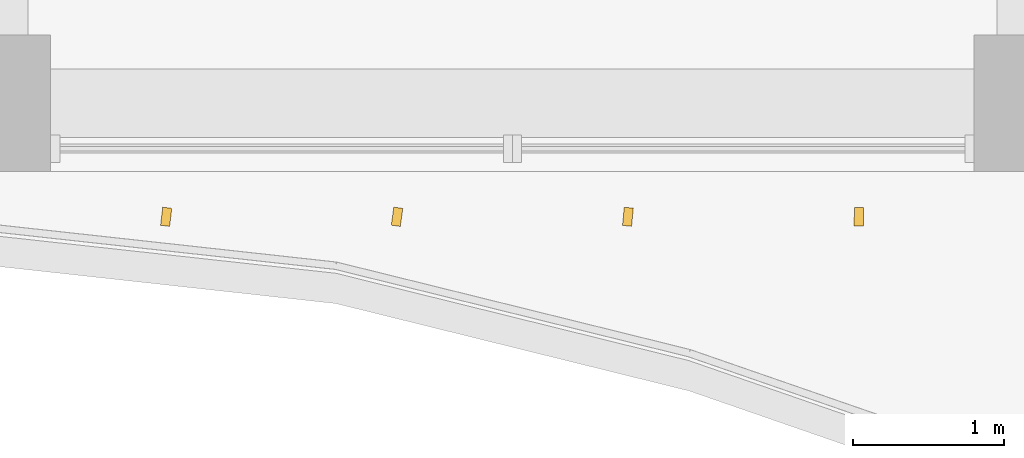
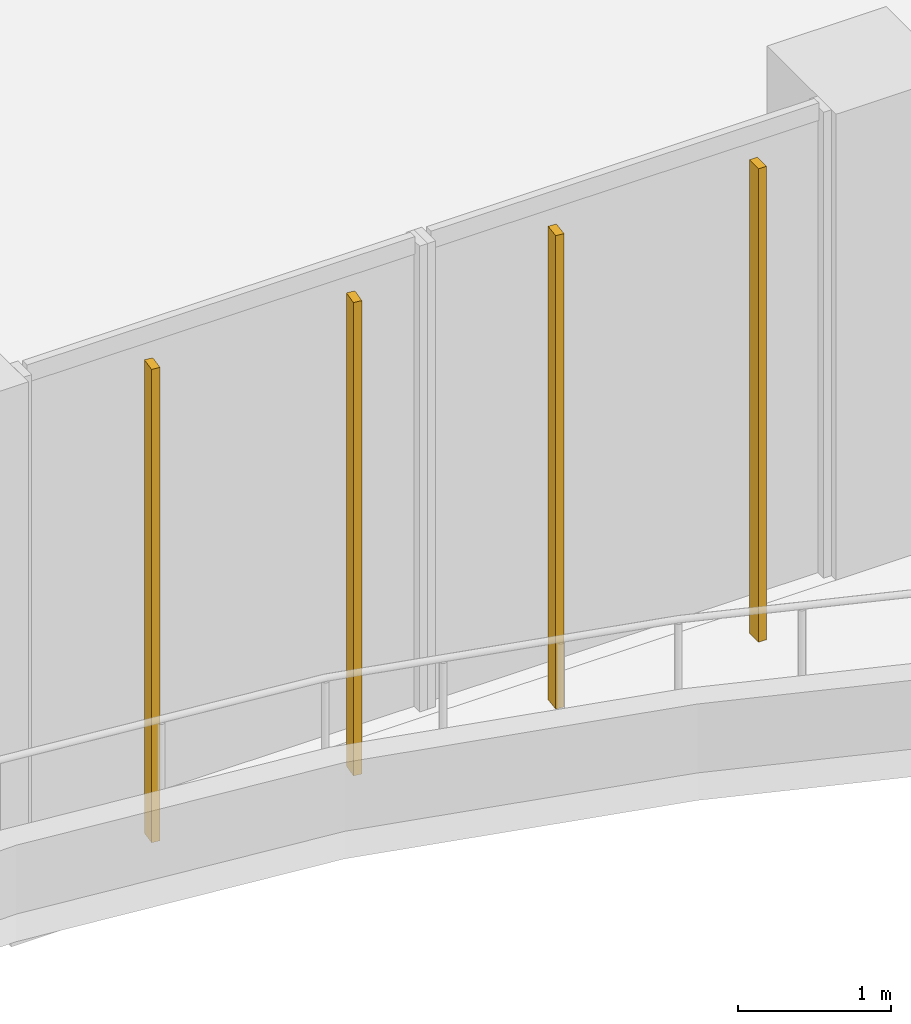
# One storey, part 19 of 27: 4 shading devices.
"""IFC4 building model written with IfcOpenShell, lengths in metres."""

from ifc_helpers import new_model, si_unit, direction, frame, origin, origin_2d, place, context, subcontext, project, spatial, rectangle, extrude, source, transform, mapped, material, material_profile, profile_set, type_object, element, save


model = new_model("IFC4")

# Units and contexts
model_context = context("Model", 3, precision=1e-05, world=origin(), true_north=direction((0.0, 1.0)))
body_context = subcontext(model_context, "Body", "Model", "MODEL_VIEW")
ifc_project = project(units=[si_unit("LENGTHUNIT", "METRE"), si_unit("AREAUNIT", "SQUARE_METRE"), si_unit("VOLUMEUNIT", "CUBIC_METRE"), si_unit("PLANEANGLEUNIT", "RADIAN"), si_unit("MASSUNIT", "GRAM", prefix="KILO")], contexts=[model_context])

# Site, building, storey
site_placement = place(None, origin())
site = spatial("IfcSite", under=ifc_project, at=site_placement, CompositionType="ELEMENT")
building_placement = place(site_placement, origin())
building = spatial("IfcBuilding", under=site, at=building_placement, Name="Kilnfold Tower and Market Hall", CompositionType="ELEMENT")
storey_placement = place(building_placement, frame((0.0, 0.0, 47.0)))
storey = spatial("IfcBuildingStorey", under=building, at=storey_placement, Name="L10", CompositionType="ELEMENT", Elevation=47.0)

# Shading devices
ifc_material = material(Name="Terracotta", Category="masonry")
ifc_material_profile = material_profile(ifc_material, rectangle(XDim=0.06005859375, YDim=0.1201171875, at=origin_2d()), Name="BAG 60x120")
ifc_profile_set = profile_set([ifc_material_profile], Name="Terracotta")
shading_device_type = type_object("IfcShadingDeviceType", Name="BAGUETTE", PredefinedType="USERDEFINED", material=ifc_profile_set)
shared_shape = source(origin(), body_context, "Body", "SweptSolid", [
    extrude(rectangle(XDim=0.06005859375, YDim=0.1201171875, at=origin_2d()), origin(), (0.0, 0.0, 1.0), 3.780029296875),
])
for number, where, z_axis, x_axis, name in (
    (1, (-2.28759765625, -28.300048828125, 0.0), (0.0, 0.0, 1.0), (0.992916031435, -0.118818157361, 0.0), "Terracotta baguette L10 S"),
    (2, (-0.762451171875, -28.300048828125, 0.0), (0.0, 0.0, 1.0), (0.990444824744, -0.137909568695, 0.0), "Terracotta baguette L10 S"),
    (3, (0.762451171875, -28.300048828125, 0.0), (0.0, 0.0, 1.0), (0.99546403116, -0.095138649698, 0.0), "Terracotta baguette L10 S"),
    (4, (2.28759765625, -28.300048828125, 0.0), (0.0, 0.0, 1.0), (0.999956763549, -0.009298980234, 0.0), "Terracotta baguette L10 S"),
):
    element("IfcShadingDevice", number, at=place(storey_placement, frame(where, z_axis=z_axis, x_axis=x_axis)), inside=storey, type_object=shading_device_type, Name=name, ObjectType="BAGUETTE", PredefinedType="USERDEFINED", context=body_context, shape_type="MappedRepresentation", body=[
        mapped(shared_shape, transform((0.0, 0.0, 0.0))),
    ])

save(model, "model.ifc")
